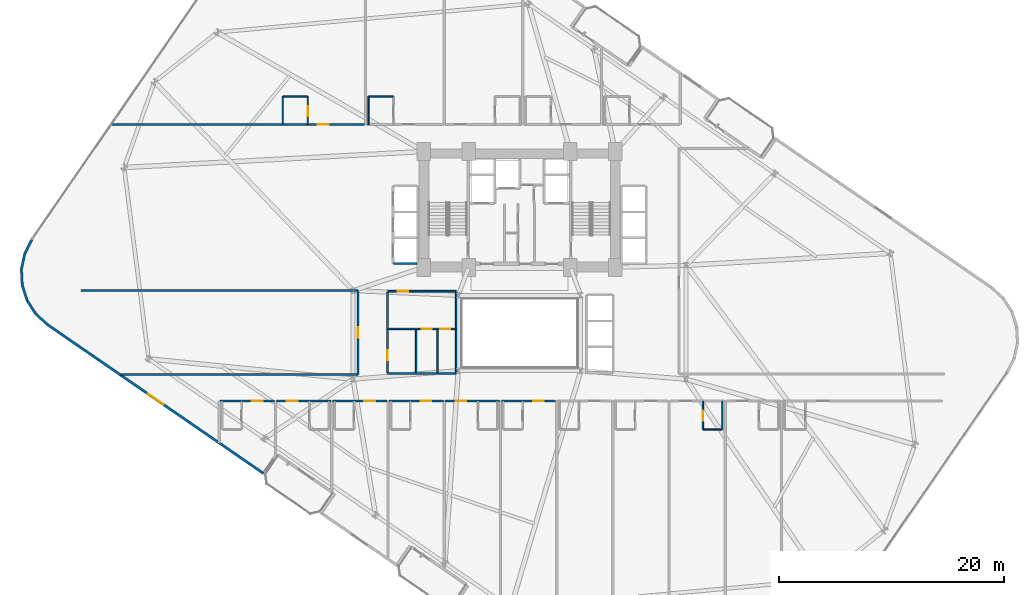
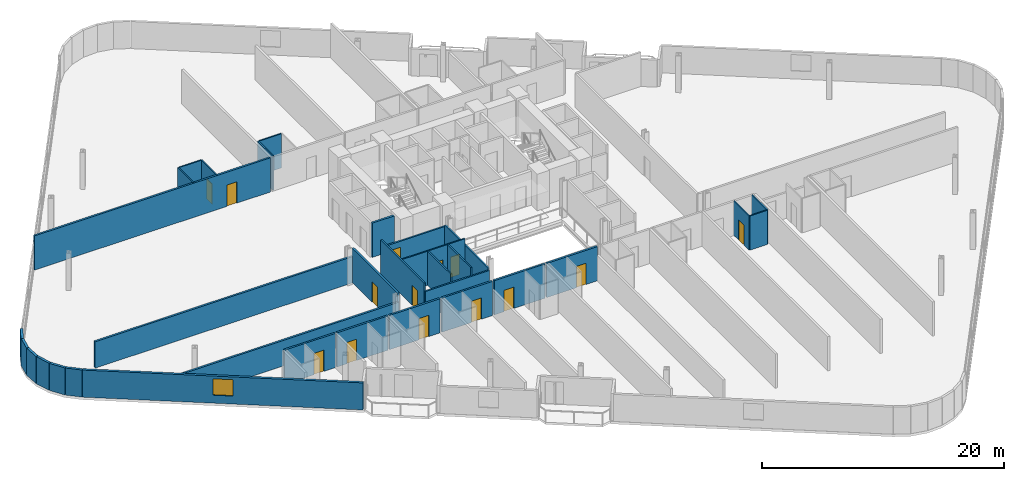
# One storey, part 18 of 25: 33 walls, 14 doors, 1 window, 15 openings.
"""IFC4 building model written with IfcOpenShell, lengths in metres."""

from ifc_helpers import new_model, si_unit, direction, frame, frame_2d, origin, place, context, subcontext, project, spatial, rectangle, extrude, material, layer, layer_set, type_object, element, fill, save


model = new_model("IFC4")

# Units and contexts
model_context = context("Model", 3, precision=1e-05, world=origin(), true_north=direction((0.0, 1.0)))
body_context = subcontext(model_context, "Body", "Model", "MODEL_VIEW")
ifc_project = project(units=[si_unit("LENGTHUNIT", "METRE"), si_unit("AREAUNIT", "SQUARE_METRE"), si_unit("VOLUMEUNIT", "CUBIC_METRE"), si_unit("PLANEANGLEUNIT", "RADIAN"), si_unit("MASSUNIT", "GRAM", prefix="KILO")], contexts=[model_context])

# Site, building, storey
site_placement = place(None, origin())
site = spatial("IfcSite", under=ifc_project, at=site_placement, CompositionType="ELEMENT")
building_placement = place(site_placement, origin())
building = spatial("IfcBuilding", under=site, at=building_placement, Name="Varnelok Gate Tower", CompositionType="ELEMENT")
storey_placement = place(building_placement, frame((0.0, 0.0, 34.39990234375)))
storey = spatial("IfcBuildingStorey", under=building, at=storey_placement, Name="L07", CompositionType="ELEMENT", Elevation=34.39990234375)

# Walls
ifc_material_1 = material(Name="Concrete C45/55", Category="concrete")
ifc_layer_1 = layer(ifc_material_1, 0.219970703125)
ifc_layer_set_1 = layer_set([ifc_layer_1], Name="Concrete C45/55")
wall_type_1 = type_object("IfcWallType", Name="EW-BALC-220", PredefinedType="SOLIDWALL", material=ifc_layer_set_1)
wall_1_placement = place(storey_placement, frame((-4.158203125, 31.24462890625, 0.0), z_axis=(0.0, 0.0, 1.0), x_axis=(-0.454777156549, -0.890605264908, 0.0)))
element("IfcWall", 1, at=wall_1_placement, inside=storey, type_object=wall_type_1, Name="L07 Perimeter Facade Closure Wall 1", PredefinedType="SOLIDWALL", context=body_context, shape_type="SweptSolid", body=[
    extrude(rectangle(XDim=1.43017578125, YDim=0.219970703125, at=frame_2d((0.715087890625, 0.0))), origin(), (0.0, 0.0, 1.0), 2.72998046875),
])
for number, where, z_axis, x_axis, name in (
    (2, (-4.81396484375, 29.946533203125, 0.0), (0.0, 0.0, 1.0), (-0.208829011645, -0.977952168511, 0.0), "L07 Perimeter Facade Closure Wall 2"),
    (3, (-5.106201171875, 28.547119140625, 0.0), (0.0, 0.0, 1.0), (0.051254741739, -0.998685611917, 0.0), "L07 Perimeter Facade Closure Wall 3"),
    (4, (-5.026611328125, 27.1201171875, 0.0), (0.0, 0.0, 1.0), (0.308190297603, -0.95132472924, 0.0), "L07 Perimeter Facade Closure Wall 4"),
    (5, (-4.580078125, 25.76220703125, 0.0), (0.0, 0.0, 1.0), (0.543748195851, -0.839248413468, 0.0), "L07 Perimeter Facade Closure Wall 5"),
):
    element("IfcWall", number, at=place(storey_placement, frame(where, z_axis=z_axis, x_axis=x_axis)), inside=storey, type_object=wall_type_1, Name=name, PredefinedType="SOLIDWALL", context=body_context, shape_type="SweptSolid", body=[
        extrude(rectangle(XDim=1.4052734375, YDim=0.219970703125, at=frame_2d((0.70263671875, 0.0))), origin(), (0.0, 0.0, 1.0), 2.72998046875),
    ])
wall_2_placement = place(storey_placement, frame((-3.79736328125, 24.56591796875, 0.0), z_axis=(0.0, 0.0, 1.0), x_axis=(0.742537711837, -0.66980425984, 0.0)))
element("IfcWall", 6, at=wall_2_placement, inside=storey, type_object=wall_type_1, Name="L07 Perimeter Facade Closure Wall 6", PredefinedType="SOLIDWALL", context=body_context, shape_type="SweptSolid", body=[
    extrude(rectangle(XDim=1.4130859375, YDim=0.219970703125, at=frame_2d((0.70654296875, 0.0))), origin(), (0.0, 0.0, 1.0), 2.72998046875),
])

# Wall, opening, window
wall_3_placement = place(storey_placement, frame((-2.7275390625, 23.60498046875, 0.0), z_axis=(0.0, 0.0, 1.0), x_axis=(0.823535075462, -0.567265351915, 0.0)))
wall_3 = element("IfcWall", 7, at=wall_3_placement, inside=storey, type_object=wall_type_1, Name="L07 Perimeter Facade Closure Wall 7", PredefinedType="SOLIDWALL", context=body_context, shape_type="SweptSolid", body=[
    extrude(rectangle(XDim=23.2470703125, YDim=0.219970703125, at=frame_2d((11.62353515625, 0.0))), origin(), (0.0, 0.0, 1.0), 2.72998046875),
])
opening_1_placement = place(wall_3_placement, frame((10.798583984375, 0.0, 0.800048828125)))
opening_1 = element("IfcOpeningElement", 8, at=opening_1_placement, cuts=wall_3, Name="Opening WN3", PredefinedType="OPENING", context=body_context, shape_type="SweptSolid", body=[
    extrude(rectangle(XDim=1.64990234375, YDim=1.64990234375, at=frame_2d((0.824951171875, 0.824951171875))), frame((0.0, 0.119873046875, 0.0), z_axis=(0.0, -1.0, 0.0), x_axis=(1.0, 0.0, 0.0)), (0.0, 0.0, 1.0), 0.239990234375),
])
ifc_material_2 = material(Name="Low-E Laminated Double Glazing IGU", Category="glass")
window_type = type_object("IfcWindowType", Name="WN-HTL-1650", PartitioningType="SINGLE_PANEL", PredefinedType="WINDOW", material=ifc_material_2)
window_placement = place(opening_1_placement, origin())
window = element("IfcWindow", 9, at=window_placement, inside=storey, type_object=window_type, Name="L07 Perimeter Vision Window 7", OverallHeight=1.64990234375, OverallWidth=1.64990234375, PartitioningType="SINGLE_PANEL", PredefinedType="WINDOW", context=body_context, shape_type="SweptSolid", body=[
    extrude(rectangle(XDim=1.64990234375, YDim=1.64990234375, at=frame_2d((0.824951171875, 0.824951171875))), frame((0.0, 0.030029296875, 0.0), z_axis=(0.0, -1.0, 0.0), x_axis=(1.0, 0.0, 0.0)), (0.0, 0.0, 1.0), 0.06005859375),
])
fill(opening_1, window)

# Wall, opening, door
ifc_material_3 = material(Name="Gypsum Plasterboard Acoustic Partition", Category="gypsum")
ifc_layer_2 = layer(ifc_material_3, 0.179931640625)
ifc_layer_set_2 = layer_set([ifc_layer_2], Name="Gypsum Plasterboard Acoustic Partition")
wall_type_2 = type_object("IfcWallType", Name="PW-CORR-180", PredefinedType="PARTITIONING", material=ifc_layer_set_2)
wall_4_placement = place(storey_placement, frame((12.580078125, 16.85009765625, 0.0), z_axis=(0.0, 0.0, 1.0), x_axis=(1.0, 0.0, 0.0)))
wall_4 = element("IfcWall", 10, at=wall_4_placement, inside=storey, type_object=wall_type_2, Name="Interior Partition", PredefinedType="PARTITIONING", context=body_context, shape_type="SweptSolid", body=[
    extrude(rectangle(XDim=4.83984375, YDim=0.179931640625, at=frame_2d((2.419921875, 0.0))), origin(), (0.0, 0.0, 1.0), 3.4501953125),
])
opening_2_placement = place(wall_4_placement, frame((2.819091796875, 0.0, 0.0)))
opening_2 = element("IfcOpeningElement", 11, at=opening_2_placement, cuts=wall_4, Name="Opening D-HT", PredefinedType="OPENING", context=body_context, shape_type="SweptSolid", body=[
    extrude(rectangle(XDim=0.949951171875, YDim=2.14990234375, at=frame_2d((0.47509765625, 1.074951171875))), frame((0.0, 0.099853515625, 0.0), z_axis=(0.0, -1.0, 0.0), x_axis=(1.0, 0.0, 0.0)), (0.0, 0.0, 1.0), 0.199951171875),
])
ifc_material_4 = material(Name="Engineered Hardwood Timber", Category="wood")
door_type_1 = type_object("IfcDoorType", Name="DR-HTL-950", OperationType="NOTDEFINED", PredefinedType="DOOR", material=ifc_material_4)
door_1_placement = place(opening_2_placement, origin())
door_1 = element("IfcDoor", 12, at=door_1_placement, inside=storey, type_object=door_type_1, Name="L07 Guest Room 02 Entrance Door", OperationType="SINGLE_SWING_LEFT", OverallHeight=2.14990234375, OverallWidth=0.949951171875, PredefinedType="DOOR", context=body_context, shape_type="SweptSolid", body=[
    extrude(rectangle(XDim=0.949951171875, YDim=2.14990234375, at=frame_2d((0.47509765625, 1.074951171875))), frame((0.0, 0.02490234375, 0.0), z_axis=(0.0, -1.0, 0.0), x_axis=(1.0, 0.0, 0.0)), (0.0, 0.0, 1.0), 0.050048828125),
])
fill(opening_2, door_1)

wall_5_placement = place(storey_placement, frame((17.580078125, 16.85009765625, 0.0), z_axis=(0.0, 0.0, 1.0), x_axis=(1.0, 0.0, 0.0)))
wall_5 = element("IfcWall", 13, at=wall_5_placement, inside=storey, type_object=wall_type_2, Name="Interior Partition", PredefinedType="PARTITIONING", context=body_context, shape_type="SweptSolid", body=[
    extrude(rectangle(XDim=4.83984375, YDim=0.179931640625, at=frame_2d((2.419921875, 0.0))), origin(), (0.0, 0.0, 1.0), 3.4501953125),
])
opening_3_placement = place(wall_5_placement, frame((0.92919921875, 0.0, 0.0)))
opening_3 = element("IfcOpeningElement", 14, at=opening_3_placement, cuts=wall_5, Name="Opening D-HT", PredefinedType="OPENING", context=body_context, shape_type="SweptSolid", body=[
    extrude(rectangle(XDim=0.949951171875, YDim=2.14990234375, at=frame_2d((0.47509765625, 1.074951171875))), frame((0.0, 0.099853515625, 0.0), z_axis=(0.0, -1.0, 0.0), x_axis=(1.0, 0.0, 0.0)), (0.0, 0.0, 1.0), 0.199951171875),
])
door_2_placement = place(opening_3_placement, origin())
door_2 = element("IfcDoor", 15, at=door_2_placement, inside=storey, type_object=door_type_1, Name="L07 Guest Room 03 Entrance Door", OperationType="SINGLE_SWING_RIGHT", OverallHeight=2.14990234375, OverallWidth=0.949951171875, PredefinedType="DOOR", context=body_context, shape_type="SweptSolid", body=[
    extrude(rectangle(XDim=0.949951171875, YDim=2.14990234375, at=frame_2d((0.47509765625, 1.074951171875))), frame((0.0, 0.02490234375, 0.0), z_axis=(0.0, -1.0, 0.0), x_axis=(1.0, 0.0, 0.0)), (0.0, 0.0, 1.0), 0.050048828125),
])
fill(opening_3, door_2)

wall_6_placement = place(storey_placement, frame((22.580078125, 16.85009765625, 0.0), z_axis=(0.0, 0.0, 1.0), x_axis=(1.0, 0.0, 0.0)))
wall_6 = element("IfcWall", 16, at=wall_6_placement, inside=storey, type_object=wall_type_2, Name="Interior Partition", PredefinedType="PARTITIONING", context=body_context, shape_type="SweptSolid", body=[
    extrude(rectangle(XDim=4.83984375, YDim=0.179931640625, at=frame_2d((2.419921875, 0.0))), origin(), (0.0, 0.0, 1.0), 3.4501953125),
])
opening_4_placement = place(wall_6_placement, frame((2.819091796875, 0.0, 0.0)))
opening_4 = element("IfcOpeningElement", 17, at=opening_4_placement, cuts=wall_6, Name="Opening D-HT", PredefinedType="OPENING", context=body_context, shape_type="SweptSolid", body=[
    extrude(rectangle(XDim=0.949951171875, YDim=2.14990234375, at=frame_2d((0.47509765625, 1.074951171875))), frame((0.0, 0.099853515625, 0.0), z_axis=(0.0, -1.0, 0.0), x_axis=(1.0, 0.0, 0.0)), (0.0, 0.0, 1.0), 0.199951171875),
])
door_3_placement = place(opening_4_placement, origin())
door_3 = element("IfcDoor", 18, at=door_3_placement, inside=storey, type_object=door_type_1, Name="L07 Guest Room 04 Entrance Door", OperationType="SINGLE_SWING_LEFT", OverallHeight=2.14990234375, OverallWidth=0.949951171875, PredefinedType="DOOR", context=body_context, shape_type="SweptSolid", body=[
    extrude(rectangle(XDim=0.949951171875, YDim=2.14990234375, at=frame_2d((0.47509765625, 1.074951171875))), frame((0.0, 0.02490234375, 0.0), z_axis=(0.0, -1.0, 0.0), x_axis=(1.0, 0.0, 0.0)), (0.0, 0.0, 1.0), 0.050048828125),
])
fill(opening_4, door_3)

wall_7_placement = place(storey_placement, frame((27.580078125, 16.85009765625, 0.0), z_axis=(0.0, 0.0, 1.0), x_axis=(1.0, 0.0, 0.0)))
wall_7 = element("IfcWall", 19, at=wall_7_placement, inside=storey, type_object=wall_type_2, Name="Interior Partition", PredefinedType="PARTITIONING", context=body_context, shape_type="SweptSolid", body=[
    extrude(rectangle(XDim=4.83984375, YDim=0.179931640625, at=frame_2d((2.419921875, 0.0))), origin(), (0.0, 0.0, 1.0), 3.4501953125),
])
opening_5_placement = place(wall_7_placement, frame((2.819091796875, 0.0, 0.0)))
opening_5 = element("IfcOpeningElement", 20, at=opening_5_placement, cuts=wall_7, Name="Opening D-HT", PredefinedType="OPENING", context=body_context, shape_type="SweptSolid", body=[
    extrude(rectangle(XDim=0.949951171875, YDim=2.14990234375, at=frame_2d((0.47509765625, 1.074951171875))), frame((0.0, 0.099853515625, 0.0), z_axis=(0.0, -1.0, 0.0), x_axis=(1.0, 0.0, 0.0)), (0.0, 0.0, 1.0), 0.199951171875),
])
door_4_placement = place(opening_5_placement, origin())
door_4 = element("IfcDoor", 21, at=door_4_placement, inside=storey, type_object=door_type_1, Name="L07 Guest Room 05 Entrance Door", OperationType="SINGLE_SWING_RIGHT", OverallHeight=2.14990234375, OverallWidth=0.949951171875, PredefinedType="DOOR", context=body_context, shape_type="SweptSolid", body=[
    extrude(rectangle(XDim=0.949951171875, YDim=2.14990234375, at=frame_2d((0.47509765625, 1.074951171875))), frame((0.0, 0.02490234375, 0.0), z_axis=(0.0, -1.0, 0.0), x_axis=(1.0, 0.0, 0.0)), (0.0, 0.0, 1.0), 0.050048828125),
])
fill(opening_5, door_4)

wall_8_placement = place(storey_placement, frame((32.580078125, 16.85009765625, 0.0), z_axis=(0.0, 0.0, 1.0), x_axis=(1.0, 0.0, 0.0)))
wall_8 = element("IfcWall", 22, at=wall_8_placement, inside=storey, type_object=wall_type_2, Name="Interior Partition", PredefinedType="PARTITIONING", context=body_context, shape_type="SweptSolid", body=[
    extrude(rectangle(XDim=4.83984375, YDim=0.179931640625, at=frame_2d((2.419921875, 0.0))), origin(), (0.0, 0.0, 1.0), 3.4501953125),
])
opening_6_placement = place(wall_8_placement, frame((0.92919921875, 0.0, 0.0)))
opening_6 = element("IfcOpeningElement", 23, at=opening_6_placement, cuts=wall_8, Name="Opening D-HT", PredefinedType="OPENING", context=body_context, shape_type="SweptSolid", body=[
    extrude(rectangle(XDim=0.949951171875, YDim=2.14990234375, at=frame_2d((0.47509765625, 1.074951171875))), frame((0.0, 0.099853515625, 0.0), z_axis=(0.0, -1.0, 0.0), x_axis=(1.0, 0.0, 0.0)), (0.0, 0.0, 1.0), 0.199951171875),
])
door_5_placement = place(opening_6_placement, origin())
door_5 = element("IfcDoor", 24, at=door_5_placement, inside=storey, type_object=door_type_1, Name="L07 Guest Room 06 Entrance Door", OperationType="SINGLE_SWING_LEFT", OverallHeight=2.14990234375, OverallWidth=0.949951171875, PredefinedType="DOOR", context=body_context, shape_type="SweptSolid", body=[
    extrude(rectangle(XDim=0.949951171875, YDim=2.14990234375, at=frame_2d((0.47509765625, 1.074951171875))), frame((0.0, 0.02490234375, 0.0), z_axis=(0.0, -1.0, 0.0), x_axis=(1.0, 0.0, 0.0)), (0.0, 0.0, 1.0), 0.050048828125),
])
fill(opening_6, door_5)

wall_9_placement = place(storey_placement, frame((37.580078125, 16.85009765625, 0.0), z_axis=(0.0, 0.0, 1.0), x_axis=(1.0, 0.0, 0.0)))
wall_9 = element("IfcWall", 25, at=wall_9_placement, inside=storey, type_object=wall_type_2, Name="Interior Partition", PredefinedType="PARTITIONING", context=body_context, shape_type="SweptSolid", body=[
    extrude(rectangle(XDim=4.83984375, YDim=0.179931640625, at=frame_2d((2.419921875, 0.0))), origin(), (0.0, 0.0, 1.0), 3.4501953125),
])
opening_7_placement = place(wall_9_placement, frame((2.819091796875, 0.0, 0.0)))
opening_7 = element("IfcOpeningElement", 26, at=opening_7_placement, cuts=wall_9, Name="Opening D-HT", PredefinedType="OPENING", context=body_context, shape_type="SweptSolid", body=[
    extrude(rectangle(XDim=0.949951171875, YDim=2.14990234375, at=frame_2d((0.47509765625, 1.074951171875))), frame((0.0, 0.099853515625, 0.0), z_axis=(0.0, -1.0, 0.0), x_axis=(1.0, 0.0, 0.0)), (0.0, 0.0, 1.0), 0.199951171875),
])
door_6_placement = place(opening_7_placement, origin())
door_6 = element("IfcDoor", 27, at=door_6_placement, inside=storey, type_object=door_type_1, Name="L07 Guest Room 07 Entrance Door", OperationType="SINGLE_SWING_RIGHT", OverallHeight=2.14990234375, OverallWidth=0.949951171875, PredefinedType="DOOR", context=body_context, shape_type="SweptSolid", body=[
    extrude(rectangle(XDim=0.949951171875, YDim=2.14990234375, at=frame_2d((0.47509765625, 1.074951171875))), frame((0.0, 0.02490234375, 0.0), z_axis=(0.0, -1.0, 0.0), x_axis=(1.0, 0.0, 0.0)), (0.0, 0.0, 1.0), 0.050048828125),
])
fill(opening_7, door_6)

wall_10_placement = place(storey_placement, frame((2.9208984375, 41.429931640625, 0.0), z_axis=(0.0, 0.0, 1.0), x_axis=(1.0, 0.0, 0.0)))
wall_10 = element("IfcWall", 28, at=wall_10_placement, inside=storey, type_object=wall_type_2, Name="Interior Partition", PredefinedType="PARTITIONING", context=body_context, shape_type="SweptSolid", body=[
    extrude(rectangle(XDim=22.4990234375, YDim=0.179931640625, at=frame_2d((11.24951171875, 0.0))), origin(), (0.0, 0.0, 1.0), 3.4501953125),
])
opening_8_placement = place(wall_10_placement, frame((18.35009765625, 0.0, 0.0)))
opening_8 = element("IfcOpeningElement", 29, at=opening_8_placement, cuts=wall_10, Name="Opening D-HT", PredefinedType="OPENING", context=body_context, shape_type="SweptSolid", body=[
    extrude(rectangle(XDim=0.949951171875, YDim=2.14990234375, at=frame_2d((0.47509765625, 1.074951171875))), frame((0.0, 0.099853515625, 0.0), z_axis=(0.0, -1.0, 0.0), x_axis=(1.0, 0.0, 0.0)), (0.0, 0.0, 1.0), 0.199951171875),
])
door_7_placement = place(opening_8_placement, origin())
door_7 = element("IfcDoor", 30, at=door_7_placement, inside=storey, type_object=door_type_1, Name="L07 Guest Room 13 Entrance Door", OperationType="SINGLE_SWING_RIGHT", OverallHeight=2.14990234375, OverallWidth=0.949951171875, PredefinedType="DOOR", context=body_context, shape_type="SweptSolid", body=[
    extrude(rectangle(XDim=0.949951171875, YDim=2.14990234375, at=frame_2d((0.47509765625, 1.074951171875))), frame((0.0, 0.02490234375, 0.0), z_axis=(0.0, -1.0, 0.0), x_axis=(1.0, 0.0, 0.0)), (0.0, 0.0, 1.0), 0.050048828125),
])
fill(opening_8, door_7)

wall_11_placement = place(storey_placement, frame((24.85009765625, 19.199951171875, 0.0), z_axis=(0.0, 0.0, 1.0), x_axis=(0.0, 1.0, 0.0)))
wall_11 = element("IfcWall", 31, at=wall_11_placement, inside=storey, type_object=wall_type_2, Name="Interior Partition", PredefinedType="PARTITIONING", context=body_context, shape_type="SweptSolid", body=[
    extrude(rectangle(XDim=7.5, YDim=0.179931640625, at=frame_2d((3.75, 0.0))), origin(), (0.0, 0.0, 1.0), 3.4501953125),
])
opening_9_placement = place(wall_11_placement, frame((3.27490234375, 0.0, 0.0)))
opening_9 = element("IfcOpeningElement", 32, at=opening_9_placement, cuts=wall_11, Name="Opening D-I2", PredefinedType="OPENING", context=body_context, shape_type="SweptSolid", body=[
    extrude(rectangle(XDim=0.949951171875, YDim=2.050048828125, at=frame_2d((0.47509765625, 1.02490234375))), frame((0.0, 0.099853515625, 0.0), z_axis=(0.0, -1.0, 0.0), x_axis=(1.0, 0.0, 0.0)), (0.0, 0.0, 1.0), 0.199951171875),
])
door_type_2 = type_object("IfcDoorType", Name="DR-INT-950", OperationType="NOTDEFINED", PredefinedType="DOOR", material=ifc_material_4)
door_8_placement = place(opening_9_placement, origin())
door_8 = element("IfcDoor", 33, at=door_8_placement, inside=storey, type_object=door_type_2, Name="L07 West Flank Room Door", OperationType="SINGLE_SWING_LEFT", OverallHeight=2.050048828125, OverallWidth=0.949951171875, PredefinedType="DOOR", context=body_context, shape_type="SweptSolid", body=[
    extrude(rectangle(XDim=0.949951171875, YDim=2.050048828125, at=frame_2d((0.47509765625, 1.02490234375))), frame((0.0, 0.02490234375, 0.0), z_axis=(0.0, -1.0, 0.0), x_axis=(1.0, 0.0, 0.0)), (0.0, 0.0, 1.0), 0.050048828125),
])
fill(opening_9, door_8)

# Walls
wall_12_placement = place(storey_placement, frame((3.702880859375, 19.199951171875, 0.0), z_axis=(0.0, 0.0, 1.0), x_axis=(1.0, 0.0, 0.0)))
element("IfcWall", 34, at=wall_12_placement, inside=storey, type_object=wall_type_2, Name="Interior Partition", PredefinedType="PARTITIONING", context=body_context, shape_type="SweptSolid", body=[
    extrude(rectangle(XDim=21.147216796875, YDim=0.179931640625, at=frame_2d((10.57373046875, 0.0))), origin(), (0.0, 0.0, 1.0), 2.580078125),
])
wall_13_placement = place(storey_placement, frame((0.199951171875, 26.699951171875, 0.0), z_axis=(0.0, 0.0, 1.0), x_axis=(1.0, 0.0, 0.0)))
element("IfcWall", 35, at=wall_13_placement, inside=storey, type_object=wall_type_2, Name="Interior Partition", PredefinedType="PARTITIONING", context=body_context, shape_type="SweptSolid", body=[
    extrude(rectangle(XDim=24.650146484375, YDim=0.179931640625, at=frame_2d((12.3251953125, 0.0))), origin(), (0.0, 0.0, 1.0), 2.662109375),
])
ifc_layer_3 = layer(ifc_material_3, 0.114990234375)
ifc_layer_set_3 = layer_set([ifc_layer_3], Name="Gypsum Plasterboard Acoustic Partition")
wall_type_3 = type_object("IfcWallType", Name="PW-ENS-125", PredefinedType="PARTITIONING", material=ifc_layer_set_3)
wall_14_placement = place(storey_placement, frame((55.550048828125, 14.330078125, 0.0), z_axis=(0.0, 0.0, 1.0), x_axis=(1.0, 0.0, 0.0)))
element("IfcWall", 36, at=wall_14_placement, inside=storey, type_object=wall_type_3, Name="Interior Partition", PredefinedType="PARTITIONING", context=body_context, shape_type="SweptSolid", body=[
    extrude(rectangle(XDim=1.64990234375, YDim=0.114990234375, at=frame_2d((0.824951171875, 0.0))), origin(), (0.0, 0.0, 1.0), 3.4501953125),
])

# Wall, opening, door
wall_15_placement = place(storey_placement, frame((55.510009765625, 14.330078125, 0.0), z_axis=(0.0, 0.0, 1.0), x_axis=(0.0, 1.0, 0.0)))
wall_15 = element("IfcWall", 37, at=wall_15_placement, inside=storey, type_object=wall_type_3, Name="Interior Partition", PredefinedType="PARTITIONING", context=body_context, shape_type="SweptSolid", body=[
    extrude(rectangle(XDim=2.52001953125, YDim=0.114990234375, at=frame_2d((1.260009765625, 0.0))), origin(), (0.0, 0.0, 1.0), 3.4501953125),
])
opening_10_placement = place(wall_15_placement, frame((0.760009765625, 0.0, 0.0)))
opening_10 = element("IfcOpeningElement", 38, at=opening_10_placement, cuts=wall_15, Name="Opening D-WC", PredefinedType="OPENING", context=body_context, shape_type="SweptSolid", body=[
    extrude(rectangle(XDim=0.89990234375, YDim=2.050048828125, at=frame_2d((0.449951171875, 1.02490234375))), frame((0.0, 0.0673828125, 0.0), z_axis=(0.0, -1.0, 0.0), x_axis=(1.0, 0.0, 0.0)), (0.0, 0.0, 1.0), 0.135009765625),
])
door_type_3 = type_object("IfcDoorType", Name="DR-BATH-900", OperationType="NOTDEFINED", PredefinedType="DOOR", material=ifc_material_4)
door_9_placement = place(opening_10_placement, origin())
door_9 = element("IfcDoor", 39, at=door_9_placement, inside=storey, type_object=door_type_3, Name="L07 Guest En-Suite 10 Door", OperationType="SINGLE_SWING_RIGHT", OverallHeight=2.050048828125, OverallWidth=0.89990234375, PredefinedType="DOOR", context=body_context, shape_type="SweptSolid", body=[
    extrude(rectangle(XDim=0.89990234375, YDim=2.050048828125, at=frame_2d((0.449951171875, 1.02490234375))), frame((0.0, 0.02490234375, 0.0), z_axis=(0.0, -1.0, 0.0), x_axis=(1.0, 0.0, 0.0)), (0.0, 0.0, 1.0), 0.050048828125),
])
fill(opening_10, door_9)

# Walls
wall_16_placement = place(storey_placement, frame((57.239990234375, 14.330078125, 0.0), z_axis=(0.0, 0.0, 1.0), x_axis=(0.0, 1.0, 0.0)))
element("IfcWall", 40, at=wall_16_placement, inside=storey, type_object=wall_type_3, Name="Interior Partition", PredefinedType="PARTITIONING", context=body_context, shape_type="SweptSolid", body=[
    extrude(rectangle(XDim=2.52001953125, YDim=0.114990234375, at=frame_2d((1.260009765625, 0.0))), origin(), (0.0, 0.0, 1.0), 3.4501953125),
])
wall_17_placement = place(storey_placement, frame((18.179931640625, 43.949951171875, 0.0), z_axis=(0.0, 0.0, 1.0), x_axis=(1.0, 0.0, 0.0)))
element("IfcWall", 41, at=wall_17_placement, inside=storey, type_object=wall_type_3, Name="Interior Partition", PredefinedType="PARTITIONING", context=body_context, shape_type="SweptSolid", body=[
    extrude(rectangle(XDim=2.150146484375, YDim=0.114990234375, at=frame_2d((1.0751953125, 0.0))), origin(), (0.0, 0.0, 1.0), 3.4501953125),
])

# Wall, opening, door
wall_18_placement = place(storey_placement, frame((20.3701171875, 41.429931640625, 0.0), z_axis=(0.0, 0.0, 1.0), x_axis=(0.0, 1.0, 0.0)))
wall_18 = element("IfcWall", 42, at=wall_18_placement, inside=storey, type_object=wall_type_3, Name="Interior Partition", PredefinedType="PARTITIONING", context=body_context, shape_type="SweptSolid", body=[
    extrude(rectangle(XDim=2.52001953125, YDim=0.114990234375, at=frame_2d((1.260009765625, 0.0))), origin(), (0.0, 0.0, 1.0), 3.4501953125),
])
opening_11_placement = place(wall_18_placement, frame((0.760009765625, 0.0, 0.0)))
opening_11 = element("IfcOpeningElement", 43, at=opening_11_placement, cuts=wall_18, Name="Opening D-WC", PredefinedType="OPENING", context=body_context, shape_type="SweptSolid", body=[
    extrude(rectangle(XDim=0.89990234375, YDim=2.050048828125, at=frame_2d((0.449951171875, 1.02490234375))), frame((0.0, 0.0673828125, 0.0), z_axis=(0.0, -1.0, 0.0), x_axis=(1.0, 0.0, 0.0)), (0.0, 0.0, 1.0), 0.135009765625),
])
door_10_placement = place(opening_11_placement, origin())
door_10 = element("IfcDoor", 44, at=door_10_placement, inside=storey, type_object=door_type_3, Name="L07 North En-Suite 13 Door", OperationType="SINGLE_SWING_RIGHT", OverallHeight=2.050048828125, OverallWidth=0.89990234375, PredefinedType="DOOR", context=body_context, shape_type="SweptSolid", body=[
    extrude(rectangle(XDim=0.89990234375, YDim=2.050048828125, at=frame_2d((0.449951171875, 1.02490234375))), frame((0.0, 0.02490234375, 0.0), z_axis=(0.0, -1.0, 0.0), x_axis=(1.0, 0.0, 0.0)), (0.0, 0.0, 1.0), 0.050048828125),
])
fill(opening_11, door_10)

# Walls
wall_19_placement = place(storey_placement, frame((18.139892578125, 41.429931640625, 0.0), z_axis=(0.0, 0.0, 1.0), x_axis=(0.0, 1.0, 0.0)))
element("IfcWall", 45, at=wall_19_placement, inside=storey, type_object=wall_type_3, Name="Interior Partition", PredefinedType="PARTITIONING", context=body_context, shape_type="SweptSolid", body=[
    extrude(rectangle(XDim=2.52001953125, YDim=0.114990234375, at=frame_2d((1.260009765625, 0.0))), origin(), (0.0, 0.0, 1.0), 3.4501953125),
])
wall_20_placement = place(storey_placement, frame((25.800048828125, 43.949951171875, 0.0), z_axis=(0.0, 0.0, 1.0), x_axis=(1.0, 0.0, 0.0)))
element("IfcWall", 46, at=wall_20_placement, inside=storey, type_object=wall_type_3, Name="Interior Partition", PredefinedType="PARTITIONING", context=body_context, shape_type="SweptSolid", body=[
    extrude(rectangle(XDim=2.14990234375, YDim=0.114990234375, at=frame_2d((1.074951171875, 0.0))), origin(), (0.0, 0.0, 1.0), 3.4501953125),
])
wall_21_placement = place(storey_placement, frame((25.760009765625, 41.429931640625, 0.0), z_axis=(0.0, 0.0, 1.0), x_axis=(0.0, 1.0, 0.0)))
element("IfcWall", 47, at=wall_21_placement, inside=storey, type_object=wall_type_3, Name="Interior Partition", PredefinedType="PARTITIONING", context=body_context, shape_type="SweptSolid", body=[
    extrude(rectangle(XDim=2.52001953125, YDim=0.114990234375, at=frame_2d((1.260009765625, 0.0))), origin(), (0.0, 0.0, 1.0), 3.4501953125),
])

# Wall, openings, doors
ifc_layer_4 = layer(ifc_material_3, 0.125)
ifc_layer_set_4 = layer_set([ifc_layer_4], Name="Gypsum Plasterboard Acoustic Partition")
wall_type_4 = type_object("IfcWallType", Name="PW-PART-125", PredefinedType="PARTITIONING", material=ifc_layer_set_4)
wall_22_placement = place(storey_placement, frame((27.52001953125, 23.27001953125, 0.0), z_axis=(0.0, 0.0, 1.0), x_axis=(1.0, 0.0, 0.0)))
wall_22 = element("IfcWall", 48, at=wall_22_placement, inside=storey, type_object=wall_type_4, Name="Interior Partition", PredefinedType="PARTITIONING", context=body_context, shape_type="SweptSolid", body=[
    extrude(rectangle(XDim=6.0, YDim=0.125, at=frame_2d((3.0, 0.0))), origin(), (0.0, 0.0, 1.0), 3.4501953125),
])
opening_12_placement = place(wall_22_placement, frame((2.981689453125, 0.0, 0.0)))
opening_12 = element("IfcOpeningElement", 49, at=opening_12_placement, cuts=wall_22, Name="Opening D-I4", PredefinedType="OPENING", context=body_context, shape_type="SweptSolid", body=[
    extrude(rectangle(XDim=0.89990234375, YDim=2.050048828125, at=frame_2d((0.449951171875, 1.02490234375))), frame((0.0, 0.072509765625, 0.0), z_axis=(0.0, -1.0, 0.0), x_axis=(1.0, 0.0, 0.0)), (0.0, 0.0, 1.0), 0.14501953125),
])
opening_13_placement = place(wall_22_placement, frame((4.64990234375, 0.0, 0.0)))
opening_13 = element("IfcOpeningElement", 50, at=opening_13_placement, cuts=wall_22, Name="Opening D-RS", PredefinedType="OPENING", context=body_context, shape_type="SweptSolid", body=[
    extrude(rectangle(XDim=0.85009765625, YDim=2.050048828125, at=frame_2d((0.425048828125, 1.02490234375))), frame((0.0, 0.072509765625, 0.0), z_axis=(0.0, -1.0, 0.0), x_axis=(1.0, 0.0, 0.0)), (0.0, 0.0, 1.0), 0.14501953125),
])
door_type_4 = type_object("IfcDoorType", Name="DR-INT-900", OperationType="NOTDEFINED", PredefinedType="DOOR", material=ifc_material_4)
door_11_placement = place(opening_12_placement, origin())
door_11 = element("IfcDoor", 51, at=door_11_placement, inside=storey, type_object=door_type_4, Name="L07 Trolley Room Door", OperationType="SINGLE_SWING_LEFT", OverallHeight=2.050048828125, OverallWidth=0.89990234375, PredefinedType="DOOR", context=body_context, shape_type="SweptSolid", body=[
    extrude(rectangle(XDim=0.89990234375, YDim=2.050048828125, at=frame_2d((0.449951171875, 1.02490234375))), frame((0.0, 0.02490234375, 0.0), z_axis=(0.0, -1.0, 0.0), x_axis=(1.0, 0.0, 0.0)), (0.0, 0.0, 1.0), 0.050048828125),
])
fill(opening_12, door_11)
ifc_material_5 = material(Name="Galvanized Steel Grade S350GD", Category="steel")
door_type_5 = type_object("IfcDoorType", Name="DR-RISER-850", OperationType="NOTDEFINED", PredefinedType="DOOR", material=ifc_material_5)
door_12_placement = place(opening_13_placement, origin())
door_12 = element("IfcDoor", 52, at=door_12_placement, inside=storey, type_object=door_type_5, Name="L07 Janitor Sink Door", OperationType="SINGLE_SWING_RIGHT", OverallHeight=2.050048828125, OverallWidth=0.85009765625, PredefinedType="DOOR", context=body_context, shape_type="SweptSolid", body=[
    extrude(rectangle(XDim=0.85009765625, YDim=2.050048828125, at=frame_2d((0.425048828125, 1.02490234375))), frame((0.0, 0.02490234375, 0.0), z_axis=(0.0, -1.0, 0.0), x_axis=(1.0, 0.0, 0.0)), (0.0, 0.0, 1.0), 0.050048828125),
])
fill(opening_13, door_12)

# Walls
for number, where, z_axis, x_axis, name in (
    (53, (30.0, 19.3798828125, 0.0), (0.0, 0.0, 1.0), (0.0, 1.0, 0.0), "Interior Partition"),
    (54, (31.89990234375, 19.3798828125, 0.0), (0.0, 0.0, 1.0), (0.0, 1.0, 0.0), "Interior Partition"),
):
    element("IfcWall", number, at=place(storey_placement, frame(where, z_axis=z_axis, x_axis=x_axis)), inside=storey, type_object=wall_type_4, Name=name, PredefinedType="PARTITIONING", context=body_context, shape_type="SweptSolid", body=[
        extrude(rectangle(XDim=3.820068359375, YDim=0.125, at=frame_2d((1.91015625, 0.0))), origin(), (0.0, 0.0, 1.0), 3.4501953125),
    ])

# Wall, opening, door
ifc_layer_5 = layer(ifc_material_3, 0.14990234375)
ifc_layer_set_5 = layer_set([ifc_layer_5], Name="Gypsum Plasterboard Acoustic Partition")
wall_type_5 = type_object("IfcWallType", Name="PW-PART-150", PredefinedType="PARTITIONING", material=ifc_layer_set_5)
wall_23_placement = place(storey_placement, frame((27.4599609375, 26.6201171875, 0.0), z_axis=(0.0, 0.0, 1.0), x_axis=(1.0, 0.0, 0.0)))
wall_23 = element("IfcWall", 55, at=wall_23_placement, inside=storey, type_object=wall_type_5, Name="Interior Partition", PredefinedType="PARTITIONING", context=body_context, shape_type="SweptSolid", body=[
    extrude(rectangle(XDim=6.10009765625, YDim=0.14990234375, at=frame_2d((3.050048828125, 0.0))), origin(), (0.0, 0.0, 1.0), 2.662109375),
])
opening_14_placement = place(wall_23_placement, frame((0.8896484375, 0.0, 0.0)))
opening_14 = element("IfcOpeningElement", 56, at=opening_14_placement, cuts=wall_23, Name="Opening D-I2", PredefinedType="OPENING", context=body_context, shape_type="SweptSolid", body=[
    extrude(rectangle(XDim=0.949951171875, YDim=2.050048828125, at=frame_2d((0.47509765625, 1.02490234375))), frame((0.0, 0.0849609375, 0.0), z_axis=(0.0, -1.0, 0.0), x_axis=(1.0, 0.0, 0.0)), (0.0, 0.0, 1.0), 0.169921875),
])
door_13_placement = place(opening_14_placement, origin())
door_13 = element("IfcDoor", 57, at=door_13_placement, inside=storey, type_object=door_type_2, Name="L07 Hotel Business Center Door", OperationType="SINGLE_SWING_LEFT", OverallHeight=2.050048828125, OverallWidth=0.949951171875, PredefinedType="DOOR", context=body_context, shape_type="SweptSolid", body=[
    extrude(rectangle(XDim=0.949951171875, YDim=2.050048828125, at=frame_2d((0.47509765625, 1.02490234375))), frame((0.0, 0.02490234375, 0.0), z_axis=(0.0, -1.0, 0.0), x_axis=(1.0, 0.0, 0.0)), (0.0, 0.0, 1.0), 0.050048828125),
])
fill(opening_14, door_13)

# Wall
wall_24_placement = place(storey_placement, frame((27.4599609375, 19.300048828125, 0.0), z_axis=(0.0, 0.0, 1.0), x_axis=(1.0, 0.0, 0.0)))
element("IfcWall", 58, at=wall_24_placement, inside=storey, type_object=wall_type_5, Name="Interior Partition", PredefinedType="PARTITIONING", context=body_context, shape_type="SweptSolid", body=[
    extrude(rectangle(XDim=6.10009765625, YDim=0.14990234375, at=frame_2d((3.050048828125, 0.0))), origin(), (0.0, 0.0, 1.0), 2.662109375),
])

# Wall, opening, door
wall_25_placement = place(storey_placement, frame((27.4599609375, 19.3798828125, 0.0), z_axis=(0.0, 0.0, 1.0), x_axis=(0.0, 1.0, 0.0)))
wall_25 = element("IfcWall", 59, at=wall_25_placement, inside=storey, type_object=wall_type_5, Name="Interior Partition", PredefinedType="PARTITIONING", context=body_context, shape_type="SweptSolid", body=[
    extrude(rectangle(XDim=7.16015625, YDim=0.14990234375, at=frame_2d((3.580078125, 0.0))), origin(), (0.0, 0.0, 1.0), 3.4501953125),
])
opening_15_placement = place(wall_25_placement, frame((1.10009765625, 0.0, 0.0)))
opening_15 = element("IfcOpeningElement", 60, at=opening_15_placement, cuts=wall_25, Name="Opening D-WC", PredefinedType="OPENING", context=body_context, shape_type="SweptSolid", body=[
    extrude(rectangle(XDim=0.89990234375, YDim=2.050048828125, at=frame_2d((0.449951171875, 1.02490234375))), frame((0.0, 0.0849609375, 0.0), z_axis=(0.0, -1.0, 0.0), x_axis=(1.0, 0.0, 0.0)), (0.0, 0.0, 1.0), 0.169921875),
])
door_14_placement = place(opening_15_placement, origin())
door_14 = element("IfcDoor", 61, at=door_14_placement, inside=storey, type_object=door_type_3, Name="L07 Accessible Floor WC Door", OperationType="SINGLE_SWING_RIGHT", OverallHeight=2.050048828125, OverallWidth=0.89990234375, PredefinedType="DOOR", context=body_context, shape_type="SweptSolid", body=[
    extrude(rectangle(XDim=0.89990234375, YDim=2.050048828125, at=frame_2d((0.449951171875, 1.02490234375))), frame((0.0, 0.02490234375, 0.0), z_axis=(0.0, -1.0, 0.0), x_axis=(1.0, 0.0, 0.0)), (0.0, 0.0, 1.0), 0.050048828125),
])
fill(opening_15, door_14)

# Walls
wall_26_placement = place(storey_placement, frame((33.56005859375, 19.3798828125, 0.0), z_axis=(0.0, 0.0, 1.0), x_axis=(0.0, 1.0, 0.0)))
element("IfcWall", 62, at=wall_26_placement, inside=storey, type_object=wall_type_5, Name="Interior Partition", PredefinedType="PARTITIONING", context=body_context, shape_type="SweptSolid", body=[
    extrude(rectangle(XDim=7.16015625, YDim=0.14990234375, at=frame_2d((3.580078125, 0.0))), origin(), (0.0, 0.0, 1.0), 2.82421875),
])
ifc_material_6 = material(Name="Concrete C35/45", Category="concrete")
ifc_layer_6 = layer(ifc_material_6, 0.199951171875)
ifc_layer_set_6 = layer_set([ifc_layer_6], Name="Concrete C35/45")
wall_type_6 = type_object("IfcWallType", Name="PW-SHAFT-200", PredefinedType="PARTITIONING", material=ifc_layer_set_6)
wall_27_placement = place(storey_placement, frame((28.0, 29.080078125, 0.0), z_axis=(0.0, 0.0, 1.0), x_axis=(1.0, 0.0, 0.0)))
element("IfcWall", 63, at=wall_27_placement, inside=storey, type_object=wall_type_6, Name="L07 PL Bank South Wall", PredefinedType="PARTITIONING", context=body_context, shape_type="SweptSolid", body=[
    extrude(rectangle(XDim=2.10009765625, YDim=0.199951171875, at=frame_2d((1.050048828125, 0.0))), origin(), (0.0, 0.0, 1.0), 3.4501953125),
])

save(model, "model.ifc")
